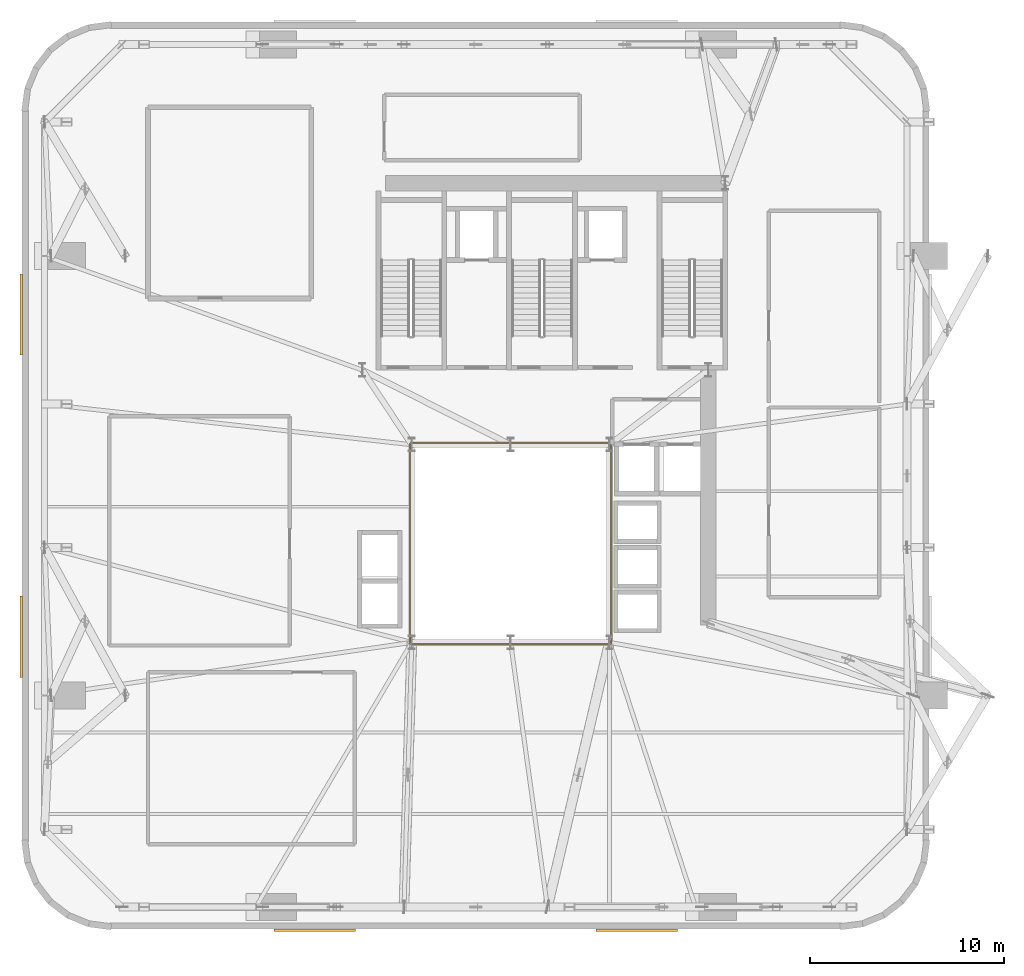
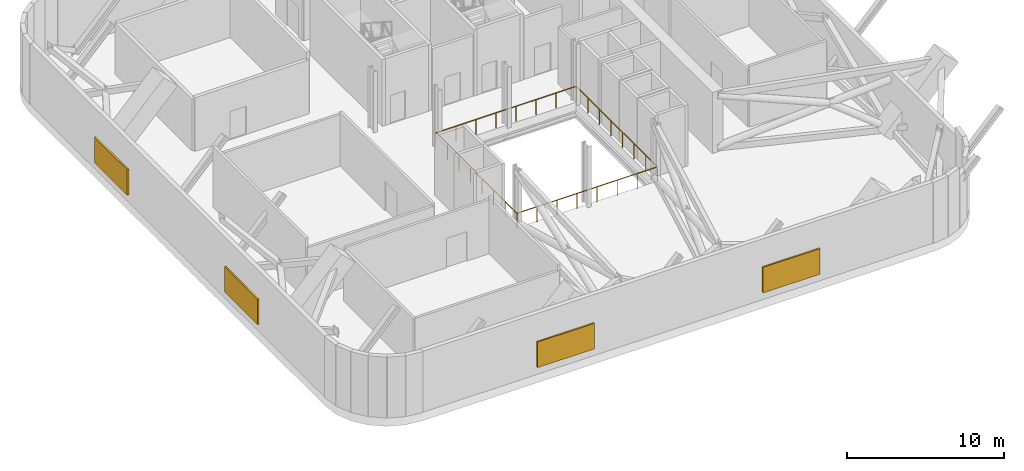
# One storey, part 12 of 14: 4 shading devices, 1 railing.
"""IFC4 building model written with IfcOpenShell, lengths in metres."""

from ifc_helpers import new_model, si_unit, direction, frame, origin, origin_2d, place, context, subcontext, project, spatial, rectangle, extrude, source, transform, mapped, material, layer, layer_set, type_object, element, save


model = new_model("IFC4")

# Units and contexts
model_context = context("Model", 3, precision=1e-05, world=origin(), true_north=direction((0.0, 1.0)))
body_context = subcontext(model_context, "Body", "Model", "MODEL_VIEW")
ifc_project = project(units=[si_unit("LENGTHUNIT", "METRE"), si_unit("AREAUNIT", "SQUARE_METRE"), si_unit("VOLUMEUNIT", "CUBIC_METRE"), si_unit("PLANEANGLEUNIT", "RADIAN"), si_unit("MASSUNIT", "GRAM", prefix="KILO")], contexts=[model_context])

# Site, building, storey
site_placement = place(None, origin())
site = spatial("IfcSite", under=ifc_project, at=site_placement, CompositionType="ELEMENT")
building_placement = place(site_placement, origin())
building = spatial("IfcBuilding", under=site, at=building_placement, Name="Vardaveli Station Tower", CompositionType="ELEMENT")
storey_placement = place(building_placement, frame((0.0, 0.0, 237.300048828125)))
storey = spatial("IfcBuildingStorey", under=building, at=storey_placement, Name="L61", CompositionType="ELEMENT", Elevation=237.300048828125)

# Shading devices
ifc_material_1 = material(Name="Anodised champagne aluminium acoustic louvre", Category="aluminium")
ifc_layer = layer(ifc_material_1, 0.1201171875, Name="Anodised champagne aluminium acoustic louvre")
ifc_layer_set = layer_set([ifc_layer], Name="Anodised champagne aluminium acoustic louvre")
shading_device_type = type_object("IfcShadingDeviceType", Name="SHD-LOUVRE-JAL", PredefinedType="JALOUSIE", material=ifc_layer_set)
shared_shape_1 = source(origin(), body_context, "Body", "SweptSolid", [
    extrude(rectangle(XDim=4.199951171875, YDim=0.1201171875, at=origin_2d()), origin(), (0.0, 0.0, 1.0), 2.0),
])
for number, where, z_axis, x_axis, name in (
    (1, (26.18408203125, 1.74609375, 0.599853515625), (0.0, 0.0, 1.0), (1.0, 0.0, 0.0), "SHD-LV-L61-S1"),
    (2, (42.81591796875, 1.74609375, 0.599853515625), (0.0, 0.0, 1.0), (1.0, 0.0, 0.0), "SHD-LV-L61-S2"),
    (3, (11.0458984375, 33.51611328125, 0.599853515625), (0.0, 0.0, 1.0), (0.0, 1.0, 0.0), "SHD-LV-L61-W1"),
    (4, (11.0458984375, 16.884033203125, 0.599853515625), (0.0, 0.0, 1.0), (0.0, 1.0, 0.0), "SHD-LV-L61-W2"),
):
    element("IfcShadingDevice", number, at=place(storey_placement, frame(where, z_axis=z_axis, x_axis=x_axis)), inside=storey, type_object=shading_device_type, Name=name, PredefinedType="JALOUSIE", context=body_context, shape_type="MappedRepresentation", body=[
        mapped(shared_shape_1, transform((0.0, 0.0, 0.0), scale=1.0)),
    ])

# Railing
ifc_material_2 = material(Name="Laminated glass and stainless steel balustrade", Category="steel")
railing_type = type_object("IfcRailingType", Name="RL-BAL-1200", PredefinedType="BALUSTRADE", material=ifc_material_2)
shared_shape_2 = source(origin(), body_context, "Body", "SweptSolid", [
    extrude(rectangle(XDim=0.048095703125, YDim=0.048095703125, at=origin_2d()), frame((0.0, 0.0, 1.17578125), z_axis=(1.0, 0.0, 0.0), x_axis=(0.0, 1.0, 0.0)), (0.0, 0.0, 1.0), 10.35986328125),
    extrude(rectangle(XDim=0.048095703125, YDim=0.048095703125, at=origin_2d()), frame((10.35986328125, 0.0, 1.17578125), z_axis=(0.0, 1.0, 0.0), x_axis=(-1.0, 0.0, 0.0)), (0.0, 0.0, 1.0), 10.35986328125),
    extrude(rectangle(XDim=0.048095703125, YDim=0.048095703125, at=origin_2d()), frame((10.35986328125, 10.35986328125, 1.17578125), z_axis=(-1.0, 0.0, 0.0), x_axis=(0.0, -1.0, 0.0)), (0.0, 0.0, 1.0), 10.35986328125),
    extrude(rectangle(XDim=0.048095703125, YDim=0.048095703125, at=origin_2d()), frame((0.0, 10.35986328125, 1.17578125), z_axis=(0.0, -1.0, 0.0), x_axis=(1.0, 0.0, 0.0)), (0.0, 0.0, 1.0), 10.35986328125),
    extrude(rectangle(XDim=0.0419921875, YDim=0.0419921875, at=origin_2d()), origin(), (0.0, 0.0, 1.0), 1.15185546875),
    extrude(rectangle(XDim=0.0419921875, YDim=0.0419921875, at=origin_2d()), frame((1.47998046875, 0.0, 0.0)), (0.0, 0.0, 1.0), 1.15185546875),
    extrude(rectangle(XDim=0.0419921875, YDim=0.0419921875, at=origin_2d()), frame((2.9599609375, 0.0, 0.0)), (0.0, 0.0, 1.0), 1.15185546875),
    extrude(rectangle(XDim=0.0419921875, YDim=0.0419921875, at=origin_2d()), frame((4.43994140625, 0.0, 0.0)), (0.0, 0.0, 1.0), 1.15185546875),
    extrude(rectangle(XDim=0.0419921875, YDim=0.0419921875, at=origin_2d()), frame((5.919921875, 0.0, 0.0)), (0.0, 0.0, 1.0), 1.15185546875),
    extrude(rectangle(XDim=0.0419921875, YDim=0.0419921875, at=origin_2d()), frame((7.39990234375, 0.0, 0.0)), (0.0, 0.0, 1.0), 1.15185546875),
    extrude(rectangle(XDim=0.0419921875, YDim=0.0419921875, at=origin_2d()), frame((8.8798828125, 0.0, 0.0)), (0.0, 0.0, 1.0), 1.15185546875),
    extrude(rectangle(XDim=0.0419921875, YDim=0.0419921875, at=origin_2d()), frame((10.35986328125, 0.0, 0.0)), (0.0, 0.0, 1.0), 1.15185546875),
    extrude(rectangle(XDim=0.0419921875, YDim=0.0419921875, at=origin_2d()), frame((10.35986328125, 1.47998046875, 0.0)), (0.0, 0.0, 1.0), 1.15185546875),
    extrude(rectangle(XDim=0.0419921875, YDim=0.0419921875, at=origin_2d()), frame((10.35986328125, 2.9599609375, 0.0)), (0.0, 0.0, 1.0), 1.15185546875),
    extrude(rectangle(XDim=0.0419921875, YDim=0.0419921875, at=origin_2d()), frame((10.35986328125, 4.43994140625, 0.0)), (0.0, 0.0, 1.0), 1.15185546875),
    extrude(rectangle(XDim=0.0419921875, YDim=0.0419921875, at=origin_2d()), frame((10.35986328125, 5.919921875, 0.0)), (0.0, 0.0, 1.0), 1.15185546875),
    extrude(rectangle(XDim=0.0419921875, YDim=0.0419921875, at=origin_2d()), frame((10.35986328125, 7.39990234375, 0.0)), (0.0, 0.0, 1.0), 1.15185546875),
    extrude(rectangle(XDim=0.0419921875, YDim=0.0419921875, at=origin_2d()), frame((10.35986328125, 8.8798828125, 0.0)), (0.0, 0.0, 1.0), 1.15185546875),
    extrude(rectangle(XDim=0.0419921875, YDim=0.0419921875, at=origin_2d()), frame((10.35986328125, 10.35986328125, 0.0)), (0.0, 0.0, 1.0), 1.15185546875),
    extrude(rectangle(XDim=0.0419921875, YDim=0.0419921875, at=origin_2d()), frame((8.8798828125, 10.35986328125, 0.0)), (0.0, 0.0, 1.0), 1.15185546875),
    extrude(rectangle(XDim=0.0419921875, YDim=0.0419921875, at=origin_2d()), frame((7.39990234375, 10.35986328125, 0.0)), (0.0, 0.0, 1.0), 1.15185546875),
    extrude(rectangle(XDim=0.0419921875, YDim=0.0419921875, at=origin_2d()), frame((5.919921875, 10.35986328125, 0.0)), (0.0, 0.0, 1.0), 1.15185546875),
    extrude(rectangle(XDim=0.0419921875, YDim=0.0419921875, at=origin_2d()), frame((4.43994140625, 10.35986328125, 0.0)), (0.0, 0.0, 1.0), 1.15185546875),
    extrude(rectangle(XDim=0.0419921875, YDim=0.0419921875, at=origin_2d()), frame((2.9599609375, 10.35986328125, 0.0)), (0.0, 0.0, 1.0), 1.15185546875),
    extrude(rectangle(XDim=0.0419921875, YDim=0.0419921875, at=origin_2d()), frame((1.47998046875, 10.35986328125, 0.0)), (0.0, 0.0, 1.0), 1.15185546875),
    extrude(rectangle(XDim=0.0419921875, YDim=0.0419921875, at=origin_2d()), frame((0.0, 10.35986328125, 0.0)), (0.0, 0.0, 1.0), 1.15185546875),
    extrude(rectangle(XDim=0.0419921875, YDim=0.0419921875, at=origin_2d()), frame((0.0, 8.8798828125, 0.0)), (0.0, 0.0, 1.0), 1.15185546875),
    extrude(rectangle(XDim=0.0419921875, YDim=0.0419921875, at=origin_2d()), frame((0.0, 7.39990234375, 0.0)), (0.0, 0.0, 1.0), 1.15185546875),
    extrude(rectangle(XDim=0.0419921875, YDim=0.0419921875, at=origin_2d()), frame((0.0, 5.919921875, 0.0)), (0.0, 0.0, 1.0), 1.15185546875),
    extrude(rectangle(XDim=0.0419921875, YDim=0.0419921875, at=origin_2d()), frame((0.0, 4.43994140625, 0.0)), (0.0, 0.0, 1.0), 1.15185546875),
    extrude(rectangle(XDim=0.0419921875, YDim=0.0419921875, at=origin_2d()), frame((0.0, 2.9599609375, 0.0)), (0.0, 0.0, 1.0), 1.15185546875),
    extrude(rectangle(XDim=0.0419921875, YDim=0.0419921875, at=origin_2d()), frame((0.0, 1.47998046875, 0.0)), (0.0, 0.0, 1.0), 1.15185546875),
])
railing_placement = place(storey_placement, frame((31.1201171875, 16.52001953125, 0.0)))
element("IfcRailing", 5, at=railing_placement, inside=storey, type_object=railing_type, Name="RL-ATR-L61", PredefinedType="BALUSTRADE", context=body_context, shape_type="MappedRepresentation", body=[
    mapped(shared_shape_2, transform((0.0, 0.0, 0.0), scale=1.0)),
])

save(model, "model.ifc")
